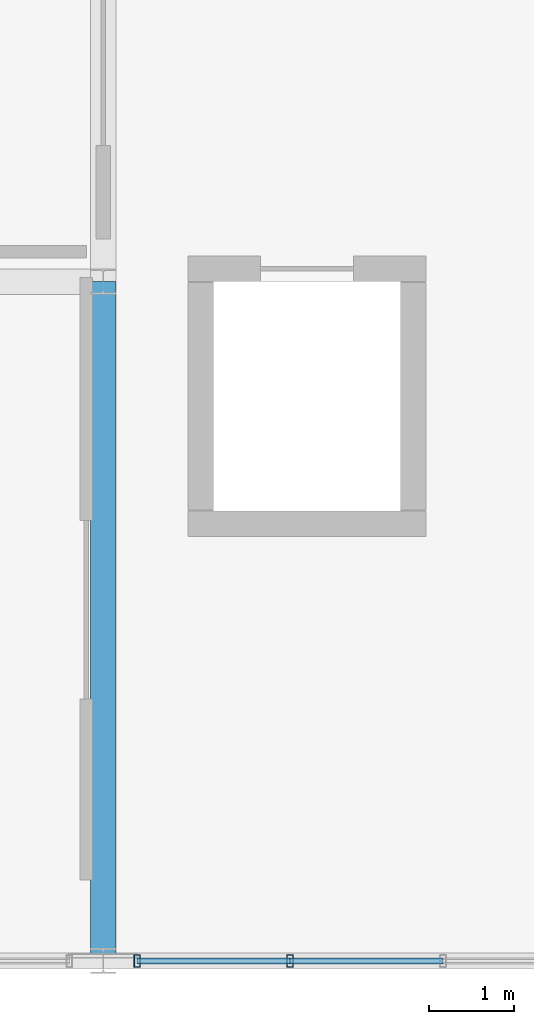
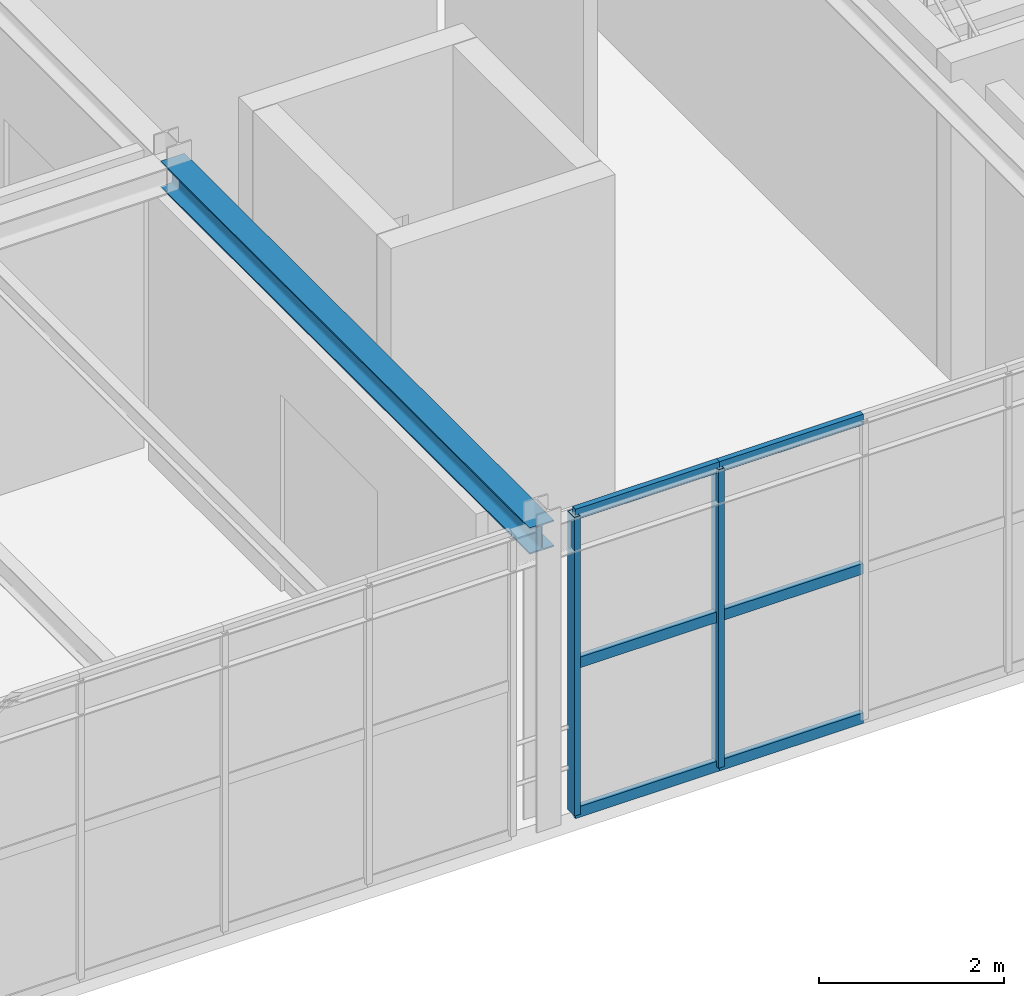
# One storey, part 40 of 124: 8 members, 1 beam, 1 element without a shape of its own.
"""IFC4 building model written with IfcOpenShell, lengths in metres."""

from ifc_helpers import new_model, si_unit, direction, frame, origin, origin_2d, place, context, subcontext, project, spatial, hollow_rectangle, i_section, extrude, material, material_profile, profile_set, type_object, element, aggregate, save


model = new_model("IFC4")

# Units and contexts
model_context = context("Model", 3, precision=1e-05, world=origin(), true_north=direction((0.0, 1.0)))
body_context = subcontext(model_context, "Body", "Model", "MODEL_VIEW")
ifc_project = project(units=[si_unit("LENGTHUNIT", "METRE"), si_unit("AREAUNIT", "SQUARE_METRE"), si_unit("VOLUMEUNIT", "CUBIC_METRE"), si_unit("PLANEANGLEUNIT", "RADIAN"), si_unit("MASSUNIT", "GRAM", prefix="KILO")], contexts=[model_context])

# Site, building, storey
site_placement = place(None, origin())
site = spatial("IfcSite", under=ifc_project, at=site_placement, CompositionType="ELEMENT")
building_placement = place(site_placement, origin())
building = spatial("IfcBuilding", under=site, at=building_placement, Name="Sundkrona Museum", CompositionType="ELEMENT")
storey_placement = place(building_placement, frame((0.0, 0.0, 17.60009765625)))
storey = spatial("IfcBuildingStorey", under=building, at=storey_placement, Name="L03", CompositionType="ELEMENT", Elevation=17.60009765625)

# Beam
ifc_material_1 = material(Name="Steel S355J2", Category="steel")
ifc_material_profile_1 = material_profile(ifc_material_1, i_section(OverallWidth=0.300048828125, OverallDepth=0.35009765625, WebThickness=0.010009765625, FlangeThickness=0.017578125, FilletRadius=0.027099609375, at=origin_2d()), Name="HEA 360")
ifc_profile_set_1 = profile_set([ifc_material_profile_1], Name="Steel S355J2")
beam_type = type_object("IfcBeamType", Name="B-HEA360", PredefinedType="BEAM", material=ifc_profile_set_1)
beam_placement = place(storey_placement, frame((112.0, 0.0, 3.764892578125), z_axis=(0.0, 1.0, 0.0), x_axis=(-1.0, 0.0, 0.0)))
element("IfcBeam", 1, at=beam_placement, inside=storey, type_object=beam_type, Name="L03 Girder Y-1617", PredefinedType="BEAM", context=body_context, shape_type="SweptSolid", body=[
    extrude(i_section(OverallWidth=0.300048828125, OverallDepth=0.35009765625, WebThickness=0.010009765625, FlangeThickness=0.017578125, FilletRadius=0.027099609375, at=origin_2d()), origin(), (0.0, 0.0, 1.0), 8.0),
])

# Curtain wall, members
ifc_material_2 = material(Name="Unitised Aluminium-Steel and Ceramic-Clad Curtain Walling", Category="steel")
curtain_wall_type = type_object("IfcCurtainWallType", Name="CW-AT-72x38", PredefinedType="NOTDEFINED", material=ifc_material_2)
curtain_wall_placement = place(storey_placement, origin())
curtain_wall = element("IfcCurtainWall", 2, at=curtain_wall_placement, inside=storey, type_object=curtain_wall_type, Name="L03 Curtain Wall CW-L03-064", PredefinedType="NOTDEFINED")
ifc_material_3 = material(Name="Aluminium EN AW-6060 T66", Category="aluminium")
ifc_material_profile_2 = material_profile(ifc_material_3, hollow_rectangle(XDim=0.074951171875, YDim=0.14990234375, WallThickness=0.00634765625, at=origin_2d()), Name="RHS 150x75x6.3")
ifc_profile_set_2 = profile_set([ifc_material_profile_2], Name="Aluminium EN AW-6060 T66")
member_type_1 = type_object("IfcMemberType", Name="ML-150", PredefinedType="MULLION", material=ifc_profile_set_2)
member_1_placement = place(storey_placement, frame((112.39990234375, 0.0, -0.004150390625), z_axis=(0.0, 0.0, 1.0), x_axis=(1.0, 0.0, 0.0)))
member_1 = element("IfcMember", 3, at=member_1_placement, type_object=member_type_1, Name="CW-L03-064 Mullion 01", PredefinedType="MULLION", context=body_context, shape_type="SweptSolid", body=[
    extrude(hollow_rectangle(XDim=0.074951171875, YDim=0.14990234375, WallThickness=0.00634765625, at=origin_2d()), origin(), (0.0, 0.0, 1.0), 3.947998046875),
])
member_2_placement = place(storey_placement, frame((114.199951171875, 0.0, -0.004150390625), z_axis=(0.0, 0.0, 1.0), x_axis=(1.0, 0.0, 0.0)))
member_2 = element("IfcMember", 4, at=member_2_placement, type_object=member_type_1, Name="CW-L03-064 Mullion 02", PredefinedType="MULLION", context=body_context, shape_type="SweptSolid", body=[
    extrude(hollow_rectangle(XDim=0.074951171875, YDim=0.14990234375, WallThickness=0.00634765625, at=origin_2d()), origin(), (0.0, 0.0, 1.0), 3.947998046875),
])
ifc_material_profile_3 = material_profile(ifc_material_3, hollow_rectangle(XDim=0.070068359375, YDim=0.139892578125, WallThickness=0.0048828125, at=origin_2d()), Name="RHS 140x70x5.0")
ifc_profile_set_3 = profile_set([ifc_material_profile_3], Name="Aluminium EN AW-6060 T66")
member_type_2 = type_object("IfcMemberType", Name="TR-140", PredefinedType="USERDEFINED", material=ifc_profile_set_3)
member_3_placement = place(storey_placement, frame((112.39990234375, 0.0, -0.004150390625), z_axis=(1.0, 0.0, 0.0), x_axis=(0.0, 1.0, 0.0)))
member_3 = element("IfcMember", 5, at=member_3_placement, type_object=member_type_2, Name="CW-L03-064 Transom 01", ObjectType="TRANSOM", PredefinedType="USERDEFINED", context=body_context, shape_type="SweptSolid", body=[
    extrude(hollow_rectangle(XDim=0.070068359375, YDim=0.139892578125, WallThickness=0.0048828125, at=origin_2d()), origin(), (0.0, 0.0, 1.0), 1.800048828125),
])
member_4_placement = place(storey_placement, frame((112.39990234375, 0.0, 1.969970703125), z_axis=(1.0, 0.0, 0.0), x_axis=(0.0, 1.0, 0.0)))
member_4 = element("IfcMember", 6, at=member_4_placement, type_object=member_type_2, Name="CW-L03-064 Transom 02", ObjectType="TRANSOM", PredefinedType="USERDEFINED", context=body_context, shape_type="SweptSolid", body=[
    extrude(hollow_rectangle(XDim=0.070068359375, YDim=0.139892578125, WallThickness=0.0048828125, at=origin_2d()), origin(), (0.0, 0.0, 1.0), 1.800048828125),
])
member_5_placement = place(storey_placement, frame((112.39990234375, 0.0, 3.94384765625), z_axis=(1.0, 0.0, 0.0), x_axis=(0.0, 1.0, 0.0)))
member_5 = element("IfcMember", 7, at=member_5_placement, type_object=member_type_2, Name="CW-L03-064 Transom 03", ObjectType="TRANSOM", PredefinedType="USERDEFINED", context=body_context, shape_type="SweptSolid", body=[
    extrude(hollow_rectangle(XDim=0.070068359375, YDim=0.139892578125, WallThickness=0.0048828125, at=origin_2d()), origin(), (0.0, 0.0, 1.0), 1.800048828125),
])
member_6_placement = place(storey_placement, frame((114.199951171875, 0.0, -0.004150390625), z_axis=(1.0, 0.0, 0.0), x_axis=(0.0, 1.0, 0.0)))
member_6 = element("IfcMember", 8, at=member_6_placement, type_object=member_type_2, Name="CW-L03-064 Transom 04", ObjectType="TRANSOM", PredefinedType="USERDEFINED", context=body_context, shape_type="SweptSolid", body=[
    extrude(hollow_rectangle(XDim=0.070068359375, YDim=0.139892578125, WallThickness=0.0048828125, at=origin_2d()), origin(), (0.0, 0.0, 1.0), 1.800048828125),
])
member_7_placement = place(storey_placement, frame((114.199951171875, 0.0, 1.969970703125), z_axis=(1.0, 0.0, 0.0), x_axis=(0.0, 1.0, 0.0)))
member_7 = element("IfcMember", 9, at=member_7_placement, type_object=member_type_2, Name="CW-L03-064 Transom 05", ObjectType="TRANSOM", PredefinedType="USERDEFINED", context=body_context, shape_type="SweptSolid", body=[
    extrude(hollow_rectangle(XDim=0.070068359375, YDim=0.139892578125, WallThickness=0.0048828125, at=origin_2d()), origin(), (0.0, 0.0, 1.0), 1.800048828125),
])
member_8_placement = place(storey_placement, frame((114.199951171875, 0.0, 3.94384765625), z_axis=(1.0, 0.0, 0.0), x_axis=(0.0, 1.0, 0.0)))
member_8 = element("IfcMember", 10, at=member_8_placement, type_object=member_type_2, Name="CW-L03-064 Transom 06", ObjectType="TRANSOM", PredefinedType="USERDEFINED", context=body_context, shape_type="SweptSolid", body=[
    extrude(hollow_rectangle(XDim=0.070068359375, YDim=0.139892578125, WallThickness=0.0048828125, at=origin_2d()), origin(), (0.0, 0.0, 1.0), 1.800048828125),
])
aggregate(curtain_wall, [member_1, member_2, member_3, member_4, member_5, member_6, member_7, member_8])

save(model, "model.ifc")
